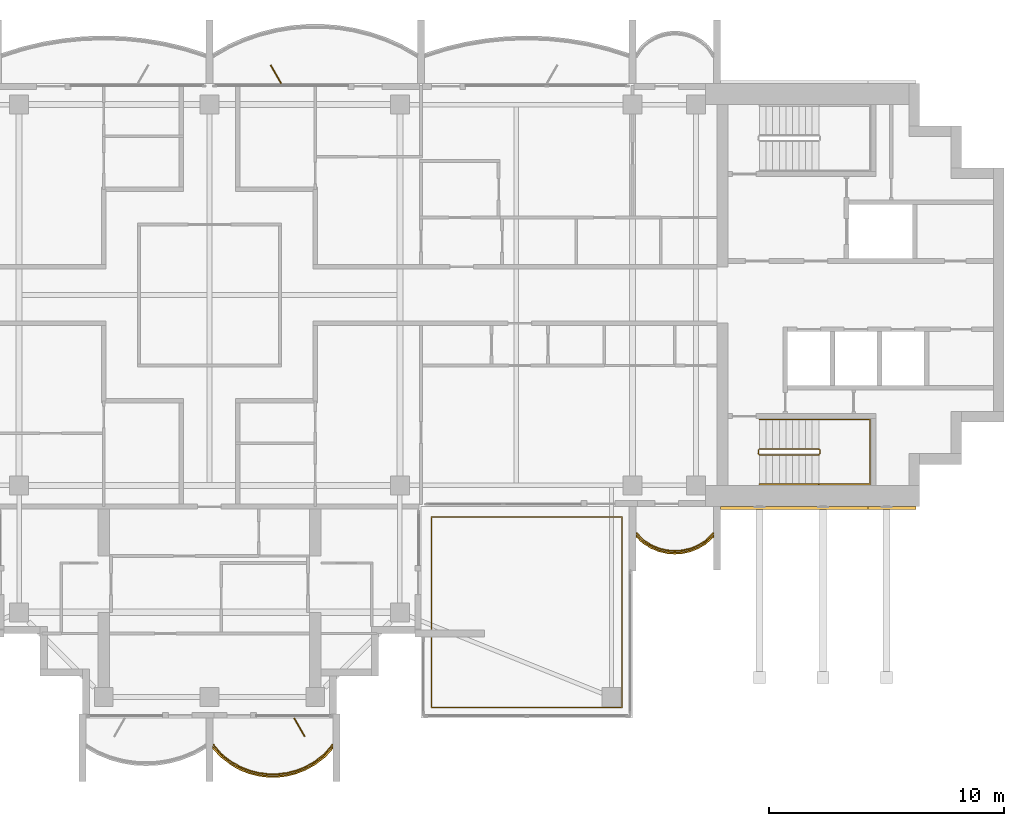
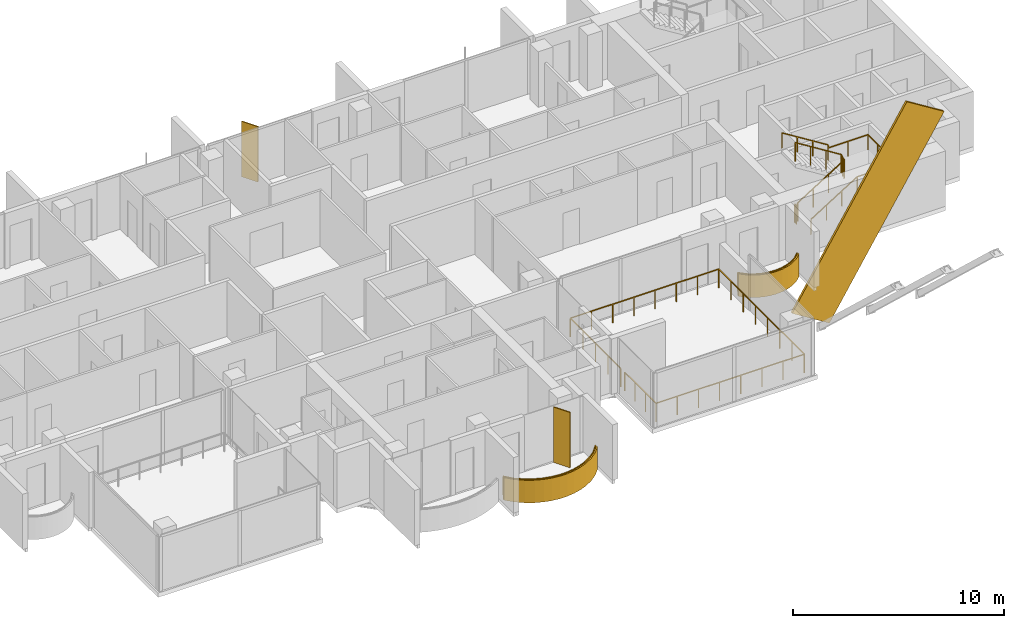
# One storey, part 17 of 18: 5 railings, 3 coverings, 2 shading devices.
"""IFC4 building model written with IfcOpenShell, lengths in metres."""

from ifc_helpers import new_model, si_unit, direction, frame, origin, origin_2d, place, context, subcontext, project, spatial, polyline, rectangle, outline, extrude, material, layer, layer_set, material_profile, profile_set, type_object, element, save


model = new_model("IFC4")

# Units and contexts
model_context = context("Model", 3, precision=1e-05, world=origin(), true_north=direction((0.0, 1.0)))
body_context = subcontext(model_context, "Body", "Model", "MODEL_VIEW")
ifc_project = project(units=[si_unit("LENGTHUNIT", "METRE"), si_unit("AREAUNIT", "SQUARE_METRE"), si_unit("VOLUMEUNIT", "CUBIC_METRE"), si_unit("PLANEANGLEUNIT", "RADIAN"), si_unit("MASSUNIT", "GRAM", prefix="KILO")], contexts=[model_context])

# Site, building, storey
site_placement = place(None, origin())
site = spatial("IfcSite", under=ifc_project, at=site_placement, CompositionType="ELEMENT")
building_placement = place(site_placement, origin())
building = spatial("IfcBuilding", under=site, at=building_placement, Name="Perihelion Cross Residences", CompositionType="ELEMENT")
storey_placement = place(building_placement, frame((0.0, 0.0, 281.5)))
storey = spatial("IfcBuildingStorey", under=building, at=storey_placement, Name="L72", CompositionType="ELEMENT", Elevation=281.5)

# Coverings
ifc_material_1 = material(Name="Bronze anodised aluminium", Category="aluminium")
ifc_layer_1 = layer(ifc_material_1, 0.070068359375)
ifc_layer_set_1 = layer_set([ifc_layer_1], Name="Balcony fascia 1300")
covering_type_1 = type_object("IfcCoveringType", Name="Balcony fascia 1300", PredefinedType="CLADDING", material=ifc_layer_set_1)
covering_1_placement = place(storey_placement, frame((0.0, 0.0, -0.199951171875)))
element("IfcCovering", 1, at=covering_1_placement, inside=storey, type_object=covering_type_1, Name="Fascia BF1 L72 south tip south bay 2", PredefinedType="CLADDING", context=body_context, shape_type="SweptSolid", body=[
    extrude(outline(polyline([(0.4951171875, -19.674072265625), (0.89599609375, -19.982666015625), (1.296875, -20.20654296875), (1.69775390625, -20.364013671875), (2.0986328125, -20.464599609375), (2.49951171875, -20.513916015625), (2.900390625, -20.513916015625), (3.30126953125, -20.464599609375), (3.7021484375, -20.364013671875), (4.10302734375, -20.20654296875), (4.50390625, -19.982666015625), (4.90478515625, -19.674072265625), (5.25, -19.302734375), (5.25, -19.199951171875), (4.857666015625, -19.622314453125), (4.46533203125, -19.924072265625), (4.072998046875, -20.143310546875), (3.6806640625, -20.29736328125), (3.28857421875, -20.39599609375), (2.896240234375, -20.444091796875), (2.50390625, -20.444091796875), (2.111572265625, -20.39599609375), (1.71923828125, -20.29736328125), (1.326904296875, -20.143310546875), (0.9345703125, -19.924072265625), (0.542236328125, -19.622314453125), (0.14990234375, -19.199951171875), (0.14990234375, -19.302734375), (0.4951171875, -19.674072265625)])), origin(), (0.0, 0.0, 1.0), 1.300048828125),
])
covering_2_placement = place(storey_placement, frame((0.0, 0.0, -0.199951171875)))
element("IfcCovering", 2, at=covering_2_placement, inside=storey, type_object=covering_type_1, Name="Fascia BF1 L72 east side south bay 2", PredefinedType="CLADDING", context=body_context, shape_type="SweptSolid", body=[
    extrude(outline(polyline([(18.4375, -10.56298828125), (18.778076171875, -10.77587890625), (19.11865234375, -10.914794921875), (19.45947265625, -10.994140625), (19.800048828125, -11.02001953125), (20.140625, -10.994140625), (20.481201171875, -10.914794921875), (20.82177734375, -10.77587890625), (21.16259765625, -10.56298828125), (21.449951171875, -10.295654296875), (21.449951171875, -10.199951171875), (21.1201171875, -10.507568359375), (20.7900390625, -10.71337890625), (20.4599609375, -10.84814453125), (20.1298828125, -10.925048828125), (19.800048828125, -10.949951171875), (19.469970703125, -10.925048828125), (19.139892578125, -10.84814453125), (18.81005859375, -10.71337890625), (18.47998046875, -10.507568359375), (18.14990234375, -10.199951171875), (18.14990234375, -10.295654296875), (18.4375, -10.56298828125)])), origin(), (0.0, 0.0, 1.0), 1.300048828125),
])

# Railings
ifc_material_2 = material(Name="Bronze anodised aluminium", Category="aluminium")
railing_type_1 = type_object("IfcRailingType", Name="Balcony guard 1100", PredefinedType="GUARDRAIL", material=ifc_material_2)
railing_1_placement = place(storey_placement, frame((0.175048828125, -19.139892578125, 0.0)))
element("IfcRailing", 3, at=railing_1_placement, inside=storey, type_object=railing_type_1, Name="Guard GU1 L72 south tip south bay 2 balcony", PredefinedType="GUARDRAIL", context=body_context, shape_type="SweptSolid", body=[
    extrude(rectangle(XDim=0.048095703125, YDim=0.048095703125, at=origin_2d()), frame((0.0, 0.0, 1.076171875), z_axis=(0.656092309534, -0.754680648599, 0.0), x_axis=(0.754680648599, 0.656092309534, 0.0)), (0.0, 0.0, 1.0), 0.5595703125),
    extrude(rectangle(XDim=0.048095703125, YDim=0.048095703125, at=origin_2d()), frame((0.3671875, -0.42236328125, 1.076171875), z_axis=(0.792660660899, -0.60966308455, 0.0), x_axis=(0.60966308455, 0.792660660899, 0.0)), (0.0, 0.0, 1.0), 0.494873046875),
    extrude(rectangle(XDim=0.048095703125, YDim=0.048095703125, at=origin_2d()), frame((0.759521484375, -0.72412109375, 1.076171875), z_axis=(0.872950285698, -0.487809182674, 0.0), x_axis=(0.487809182674, 0.872950285698, 0.0)), (0.0, 0.0, 1.0), 0.449462890625),
    extrude(rectangle(XDim=0.048095703125, YDim=0.048095703125, at=origin_2d()), frame((1.15185546875, -0.943359375, 1.076171875), z_axis=(0.930814842219, -0.365491079925, 0.0), x_axis=(0.365491079925, 0.930814842219, 0.0)), (0.0, 0.0, 1.0), 0.42138671875),
    extrude(rectangle(XDim=0.048095703125, YDim=0.048095703125, at=origin_2d()), frame((1.544189453125, -1.097412109375, 1.076171875), z_axis=(0.969822159145, -0.243813411509, 0.0), x_axis=(0.243813411509, 0.969822159145, 0.0)), (0.0, 0.0, 1.0), 0.404541015625),
    extrude(rectangle(XDim=0.048095703125, YDim=0.048095703125, at=origin_2d()), frame((1.9365234375, -1.196044921875, 1.076171875), z_axis=(0.992569651699, -0.121677797999, 0.0), x_axis=(0.121677797999, 0.992569651699, 0.0)), (0.0, 0.0, 1.0), 0.395263671875),
    extrude(rectangle(XDim=0.048095703125, YDim=0.048095703125, at=origin_2d()), frame((2.328857421875, -1.244140625, 1.076171875), z_axis=(1.0, 0.0, 0.0), x_axis=(0.0, 1.0, 0.0)), (0.0, 0.0, 1.0), 0.392333984375),
    extrude(rectangle(XDim=0.048095703125, YDim=0.048095703125, at=origin_2d()), frame((2.72119140625, -1.244140625, 1.076171875), z_axis=(0.992569651699, 0.121677797999, 0.0), x_axis=(-0.121677797999, 0.992569651699, 0.0)), (0.0, 0.0, 1.0), 0.395263671875),
    extrude(rectangle(XDim=0.048095703125, YDim=0.048095703125, at=origin_2d()), frame((3.113525390625, -1.196044921875, 1.076171875), z_axis=(0.969786252666, 0.243956193074, 0.0), x_axis=(-0.243956193074, 0.969786252666, 0.0)), (0.0, 0.0, 1.0), 0.404296875),
    extrude(rectangle(XDim=0.048095703125, YDim=0.048095703125, at=origin_2d()), frame((3.505615234375, -1.097412109375, 1.076171875), z_axis=(0.930814842219, 0.365491079925, 0.0), x_axis=(-0.365491079925, 0.930814842219, 0.0)), (0.0, 0.0, 1.0), 0.42138671875),
    extrude(rectangle(XDim=0.048095703125, YDim=0.048095703125, at=origin_2d()), frame((3.89794921875, -0.943359375, 1.076171875), z_axis=(0.872950285698, 0.487809182674, 0.0), x_axis=(-0.487809182674, 0.872950285698, 0.0)), (0.0, 0.0, 1.0), 0.449462890625),
    extrude(rectangle(XDim=0.048095703125, YDim=0.048095703125, at=origin_2d()), frame((4.290283203125, -0.72412109375, 1.076171875), z_axis=(0.792660660899, 0.60966308455, 0.0), x_axis=(-0.60966308455, 0.792660660899, 0.0)), (0.0, 0.0, 1.0), 0.494873046875),
    extrude(rectangle(XDim=0.048095703125, YDim=0.048095703125, at=origin_2d()), frame((4.6826171875, -0.42236328125, 1.076171875), z_axis=(0.656340655493, 0.754464673757, 0.0), x_axis=(-0.754464673757, 0.656340655493, 0.0)), (0.0, 0.0, 1.0), 0.559814453125),
    extrude(rectangle(XDim=0.0419921875, YDim=0.0419921875, at=origin_2d()), origin(), (0.0, 0.0, 1.0), 1.052001953125),
    extrude(rectangle(XDim=0.0419921875, YDim=0.0419921875, at=origin_2d()), frame((0.3671875, -0.42236328125, 0.0)), (0.0, 0.0, 1.0), 1.052001953125),
    extrude(rectangle(XDim=0.0419921875, YDim=0.0419921875, at=origin_2d()), frame((0.759521484375, -0.72412109375, 0.0)), (0.0, 0.0, 1.0), 1.052001953125),
    extrude(rectangle(XDim=0.0419921875, YDim=0.0419921875, at=origin_2d()), frame((1.15185546875, -0.943359375, 0.0)), (0.0, 0.0, 1.0), 1.052001953125),
    extrude(rectangle(XDim=0.0419921875, YDim=0.0419921875, at=origin_2d()), frame((1.544189453125, -1.097412109375, 0.0)), (0.0, 0.0, 1.0), 1.052001953125),
    extrude(rectangle(XDim=0.0419921875, YDim=0.0419921875, at=origin_2d()), frame((1.9365234375, -1.196044921875, 0.0)), (0.0, 0.0, 1.0), 1.052001953125),
    extrude(rectangle(XDim=0.0419921875, YDim=0.0419921875, at=origin_2d()), frame((2.328857421875, -1.244140625, 0.0)), (0.0, 0.0, 1.0), 1.052001953125),
    extrude(rectangle(XDim=0.0419921875, YDim=0.0419921875, at=origin_2d()), frame((2.72119140625, -1.244140625, 0.0)), (0.0, 0.0, 1.0), 1.052001953125),
    extrude(rectangle(XDim=0.0419921875, YDim=0.0419921875, at=origin_2d()), frame((3.113525390625, -1.196044921875, 0.0)), (0.0, 0.0, 1.0), 1.052001953125),
    extrude(rectangle(XDim=0.0419921875, YDim=0.0419921875, at=origin_2d()), frame((3.505615234375, -1.097412109375, 0.0)), (0.0, 0.0, 1.0), 1.052001953125),
    extrude(rectangle(XDim=0.0419921875, YDim=0.0419921875, at=origin_2d()), frame((3.89794921875, -0.943359375, 0.0)), (0.0, 0.0, 1.0), 1.052001953125),
    extrude(rectangle(XDim=0.0419921875, YDim=0.0419921875, at=origin_2d()), frame((4.290283203125, -0.72412109375, 0.0)), (0.0, 0.0, 1.0), 1.052001953125),
    extrude(rectangle(XDim=0.0419921875, YDim=0.0419921875, at=origin_2d()), frame((4.6826171875, -0.42236328125, 0.0)), (0.0, 0.0, 1.0), 1.052001953125),
    extrude(rectangle(XDim=0.0419921875, YDim=0.0419921875, at=origin_2d()), frame((5.050048828125, 0.0, 0.0)), (0.0, 0.0, 1.0), 1.052001953125),
])
railing_2_placement = place(storey_placement, frame((18.175048828125, -10.139892578125, 0.0)))
element("IfcRailing", 4, at=railing_2_placement, inside=storey, type_object=railing_type_1, Name="Guard GU1 L72 east side south bay 2 balcony", PredefinedType="GUARDRAIL", context=body_context, shape_type="SweptSolid", body=[
    extrude(rectangle(XDim=0.048095703125, YDim=0.048095703125, at=origin_2d()), frame((0.0, 0.0, 1.076171875), z_axis=(0.703999905859, -0.710200065158, 0.0), x_axis=(0.710200065158, 0.703999905859, 0.0)), (0.0, 0.0, 1.0), 0.43310546875),
    extrude(rectangle(XDim=0.048095703125, YDim=0.048095703125, at=origin_2d()), frame((0.304931640625, -0.3076171875, 1.076171875), z_axis=(0.848280173265, -0.529547682127, 0.0), x_axis=(0.529547682127, 0.848280173265, 0.0)), (0.0, 0.0, 1.0), 0.38916015625),
    extrude(rectangle(XDim=0.048095703125, YDim=0.048095703125, at=origin_2d()), frame((0.635009765625, -0.513671875, 1.076171875), z_axis=(0.925950379976, -0.377645195682, 0.0), x_axis=(0.377645195682, 0.925950379976, 0.0)), (0.0, 0.0, 1.0), 0.356201171875),
    extrude(rectangle(XDim=0.048095703125, YDim=0.048095703125, at=origin_2d()), frame((0.96484375, -0.648193359375, 1.076171875), z_axis=(0.97391554583, -0.226910796551, 0.0), x_axis=(0.226910796551, 0.97391554583, 0.0)), (0.0, 0.0, 1.0), 0.3388671875),
    extrude(rectangle(XDim=0.048095703125, YDim=0.048095703125, at=origin_2d()), frame((1.294921875, -0.72509765625, 1.076171875), z_axis=(0.997166208737, -0.075229995038, 0.0), x_axis=(0.075229995038, 0.997166208737, 0.0)), (0.0, 0.0, 1.0), 0.3310546875),
    extrude(rectangle(XDim=0.048095703125, YDim=0.048095703125, at=origin_2d()), frame((1.625, -0.75, 1.076171875), z_axis=(0.997162029931, 0.075285364214, 0.0), x_axis=(-0.075285364214, 0.997162029931, 0.0)), (0.0, 0.0, 1.0), 0.330810546875),
    extrude(rectangle(XDim=0.048095703125, YDim=0.048095703125, at=origin_2d()), frame((1.954833984375, -0.72509765625, 1.076171875), z_axis=(0.97391554583, 0.226910796551, 0.0), x_axis=(-0.226910796551, 0.97391554583, 0.0)), (0.0, 0.0, 1.0), 0.3388671875),
    extrude(rectangle(XDim=0.048095703125, YDim=0.048095703125, at=origin_2d()), frame((2.284912109375, -0.648193359375, 1.076171875), z_axis=(0.926048033295, 0.377405670374, 0.0), x_axis=(-0.377405670374, 0.926048033295, 0.0)), (0.0, 0.0, 1.0), 0.3564453125),
    extrude(rectangle(XDim=0.048095703125, YDim=0.048095703125, at=origin_2d()), frame((2.614990234375, -0.513671875, 1.076171875), z_axis=(0.848280173265, 0.529547682127, 0.0), x_axis=(-0.529547682127, 0.848280173265, 0.0)), (0.0, 0.0, 1.0), 0.38916015625),
    extrude(rectangle(XDim=0.048095703125, YDim=0.048095703125, at=origin_2d()), frame((2.945068359375, -0.3076171875, 1.076171875), z_axis=(0.703999905859, 0.710200065158, 0.0), x_axis=(-0.710200065158, 0.703999905859, 0.0)), (0.0, 0.0, 1.0), 0.43310546875),
    extrude(rectangle(XDim=0.0419921875, YDim=0.0419921875, at=origin_2d()), origin(), (0.0, 0.0, 1.0), 1.052001953125),
    extrude(rectangle(XDim=0.0419921875, YDim=0.0419921875, at=origin_2d()), frame((0.304931640625, -0.3076171875, 0.0)), (0.0, 0.0, 1.0), 1.052001953125),
    extrude(rectangle(XDim=0.0419921875, YDim=0.0419921875, at=origin_2d()), frame((0.635009765625, -0.513671875, 0.0)), (0.0, 0.0, 1.0), 1.052001953125),
    extrude(rectangle(XDim=0.0419921875, YDim=0.0419921875, at=origin_2d()), frame((0.96484375, -0.648193359375, 0.0)), (0.0, 0.0, 1.0), 1.052001953125),
    extrude(rectangle(XDim=0.0419921875, YDim=0.0419921875, at=origin_2d()), frame((1.294921875, -0.72509765625, 0.0)), (0.0, 0.0, 1.0), 1.052001953125),
    extrude(rectangle(XDim=0.0419921875, YDim=0.0419921875, at=origin_2d()), frame((1.625, -0.75, 0.0)), (0.0, 0.0, 1.0), 1.052001953125),
    extrude(rectangle(XDim=0.0419921875, YDim=0.0419921875, at=origin_2d()), frame((1.954833984375, -0.72509765625, 0.0)), (0.0, 0.0, 1.0), 1.052001953125),
    extrude(rectangle(XDim=0.0419921875, YDim=0.0419921875, at=origin_2d()), frame((2.284912109375, -0.648193359375, 0.0)), (0.0, 0.0, 1.0), 1.052001953125),
    extrude(rectangle(XDim=0.0419921875, YDim=0.0419921875, at=origin_2d()), frame((2.614990234375, -0.513671875, 0.0)), (0.0, 0.0, 1.0), 1.052001953125),
    extrude(rectangle(XDim=0.0419921875, YDim=0.0419921875, at=origin_2d()), frame((2.945068359375, -0.3076171875, 0.0)), (0.0, 0.0, 1.0), 1.052001953125),
    extrude(rectangle(XDim=0.0419921875, YDim=0.0419921875, at=origin_2d()), frame((3.25, 0.0, 0.0)), (0.0, 0.0, 1.0), 1.052001953125),
])
railing_3_placement = place(storey_placement, frame((9.449951171875, -14.2099609375, 0.0)))
element("IfcRailing", 5, at=railing_3_placement, inside=storey, type_object=railing_type_1, Name="Guard GU1 L72 pocket south-east 1", PredefinedType="GUARDRAIL", context=body_context, shape_type="SweptSolid", body=[
    extrude(rectangle(XDim=0.048095703125, YDim=0.048095703125, at=origin_2d()), frame((0.0, 0.0, 1.076171875), z_axis=(0.0, 1.0, 0.0), x_axis=(-1.0, 0.0, 0.0)), (0.0, 0.0, 1.0), 4.760009765625),
    extrude(rectangle(XDim=0.048095703125, YDim=0.048095703125, at=origin_2d()), frame((0.0, 4.760009765625, 1.076171875), z_axis=(1.0, 0.0, 0.0), x_axis=(0.0, 1.0, 0.0)), (0.0, 0.0, 1.0), 8.10009765625),
    extrude(rectangle(XDim=0.048095703125, YDim=0.048095703125, at=origin_2d()), frame((8.10009765625, 4.760009765625, 1.076171875), z_axis=(0.0, -1.0, 0.0), x_axis=(1.0, 0.0, 0.0)), (0.0, 0.0, 1.0), 8.10009765625),
    extrude(rectangle(XDim=0.048095703125, YDim=0.048095703125, at=origin_2d()), frame((8.10009765625, -3.340087890625, 1.076171875), z_axis=(-1.0, 0.0, 0.0), x_axis=(0.0, -1.0, 0.0)), (0.0, 0.0, 1.0), 8.10009765625),
    extrude(rectangle(XDim=0.048095703125, YDim=0.048095703125, at=origin_2d()), frame((0.0, -3.340087890625, 1.076171875), z_axis=(0.0, 1.0, 0.0), x_axis=(-1.0, 0.0, 0.0)), (0.0, 0.0, 1.0), 2.9599609375),
    extrude(rectangle(XDim=0.0419921875, YDim=0.0419921875, at=origin_2d()), origin(), (0.0, 0.0, 1.0), 1.052001953125),
    extrude(rectangle(XDim=0.0419921875, YDim=0.0419921875, at=origin_2d()), frame((0.0, 1.18994140625, 0.0)), (0.0, 0.0, 1.0), 1.052001953125),
    extrude(rectangle(XDim=0.0419921875, YDim=0.0419921875, at=origin_2d()), frame((0.0, 2.3798828125, 0.0)), (0.0, 0.0, 1.0), 1.052001953125),
    extrude(rectangle(XDim=0.0419921875, YDim=0.0419921875, at=origin_2d()), frame((0.0, 3.570068359375, 0.0)), (0.0, 0.0, 1.0), 1.052001953125),
    extrude(rectangle(XDim=0.0419921875, YDim=0.0419921875, at=origin_2d()), frame((0.0, 4.760009765625, 0.0)), (0.0, 0.0, 1.0), 1.052001953125),
    extrude(rectangle(XDim=0.0419921875, YDim=0.0419921875, at=origin_2d()), frame((1.1572265625, 4.760009765625, 0.0)), (0.0, 0.0, 1.0), 1.052001953125),
    extrude(rectangle(XDim=0.0419921875, YDim=0.0419921875, at=origin_2d()), frame((2.314208984375, 4.760009765625, 0.0)), (0.0, 0.0, 1.0), 1.052001953125),
    extrude(rectangle(XDim=0.0419921875, YDim=0.0419921875, at=origin_2d()), frame((3.471435546875, 4.760009765625, 0.0)), (0.0, 0.0, 1.0), 1.052001953125),
    extrude(rectangle(XDim=0.0419921875, YDim=0.0419921875, at=origin_2d()), frame((4.628662109375, 4.760009765625, 0.0)), (0.0, 0.0, 1.0), 1.052001953125),
    extrude(rectangle(XDim=0.0419921875, YDim=0.0419921875, at=origin_2d()), frame((5.785888671875, 4.760009765625, 0.0)), (0.0, 0.0, 1.0), 1.052001953125),
    extrude(rectangle(XDim=0.0419921875, YDim=0.0419921875, at=origin_2d()), frame((6.94287109375, 4.760009765625, 0.0)), (0.0, 0.0, 1.0), 1.052001953125),
    extrude(rectangle(XDim=0.0419921875, YDim=0.0419921875, at=origin_2d()), frame((8.10009765625, 4.760009765625, 0.0)), (0.0, 0.0, 1.0), 1.052001953125),
    extrude(rectangle(XDim=0.0419921875, YDim=0.0419921875, at=origin_2d()), frame((8.10009765625, 3.602783203125, 0.0)), (0.0, 0.0, 1.0), 1.052001953125),
    extrude(rectangle(XDim=0.0419921875, YDim=0.0419921875, at=origin_2d()), frame((8.10009765625, 2.44580078125, 0.0)), (0.0, 0.0, 1.0), 1.052001953125),
    extrude(rectangle(XDim=0.0419921875, YDim=0.0419921875, at=origin_2d()), frame((8.10009765625, 1.28857421875, 0.0)), (0.0, 0.0, 1.0), 1.052001953125),
    extrude(rectangle(XDim=0.0419921875, YDim=0.0419921875, at=origin_2d()), frame((8.10009765625, 0.13134765625, 0.0)), (0.0, 0.0, 1.0), 1.052001953125),
    extrude(rectangle(XDim=0.0419921875, YDim=0.0419921875, at=origin_2d()), frame((8.10009765625, -1.02587890625, 0.0)), (0.0, 0.0, 1.0), 1.052001953125),
    extrude(rectangle(XDim=0.0419921875, YDim=0.0419921875, at=origin_2d()), frame((8.10009765625, -2.182861328125, 0.0)), (0.0, 0.0, 1.0), 1.052001953125),
    extrude(rectangle(XDim=0.0419921875, YDim=0.0419921875, at=origin_2d()), frame((8.10009765625, -3.340087890625, 0.0)), (0.0, 0.0, 1.0), 1.052001953125),
    extrude(rectangle(XDim=0.0419921875, YDim=0.0419921875, at=origin_2d()), frame((6.94287109375, -3.340087890625, 0.0)), (0.0, 0.0, 1.0), 1.052001953125),
    extrude(rectangle(XDim=0.0419921875, YDim=0.0419921875, at=origin_2d()), frame((5.785888671875, -3.340087890625, 0.0)), (0.0, 0.0, 1.0), 1.052001953125),
    extrude(rectangle(XDim=0.0419921875, YDim=0.0419921875, at=origin_2d()), frame((4.628662109375, -3.340087890625, 0.0)), (0.0, 0.0, 1.0), 1.052001953125),
    extrude(rectangle(XDim=0.0419921875, YDim=0.0419921875, at=origin_2d()), frame((3.471435546875, -3.340087890625, 0.0)), (0.0, 0.0, 1.0), 1.052001953125),
    extrude(rectangle(XDim=0.0419921875, YDim=0.0419921875, at=origin_2d()), frame((2.314208984375, -3.340087890625, 0.0)), (0.0, 0.0, 1.0), 1.052001953125),
    extrude(rectangle(XDim=0.0419921875, YDim=0.0419921875, at=origin_2d()), frame((1.1572265625, -3.340087890625, 0.0)), (0.0, 0.0, 1.0), 1.052001953125),
    extrude(rectangle(XDim=0.0419921875, YDim=0.0419921875, at=origin_2d()), frame((0.0, -3.340087890625, 0.0)), (0.0, 0.0, 1.0), 1.052001953125),
    extrude(rectangle(XDim=0.0419921875, YDim=0.0419921875, at=origin_2d()), frame((0.0, -2.353515625, 0.0)), (0.0, 0.0, 1.0), 1.052001953125),
    extrude(rectangle(XDim=0.0419921875, YDim=0.0419921875, at=origin_2d()), frame((0.0, -1.36669921875, 0.0)), (0.0, 0.0, 1.0), 1.052001953125),
    extrude(rectangle(XDim=0.0419921875, YDim=0.0419921875, at=origin_2d()), frame((0.0, -0.380126953125, 0.0)), (0.0, 0.0, 1.0), 1.052001953125),
])

# Covering
ifc_material_3 = material(Name="Bronze anodised aluminium", Category="aluminium")
ifc_material_profile = material_profile(ifc_material_3, rectangle(XDim=0.125, YDim=2.39990234375, at=origin_2d()), Name="Bronze cladding band 2400")
ifc_profile_set = profile_set([ifc_material_profile], Name="Bronze anodised aluminium")
covering_type_2 = type_object("IfcCoveringType", Name="Bronze cladding band 2400", PredefinedType="CLADDING", material=ifc_profile_set)
covering_3_placement = place(storey_placement, frame((22.767578125, -9.0625, -3.78759765625), z_axis=(0.529915403603, 0.0, 0.848050508534), x_axis=(0.0, 1.0, 0.0)))
element("IfcCovering", 6, at=covering_3_placement, inside=storey, type_object=covering_type_2, Name="Core cladding band, east core", PredefinedType="CLADDING", context=body_context, shape_type="SweptSolid", body=[
    extrude(rectangle(XDim=0.125, YDim=2.39990234375, at=origin_2d()), origin(), (0.0, 0.0, 1.0), 11.822021484375),
])

# Shading devices
ifc_material_4 = material(Name="Bronze anodised aluminium", Category="aluminium")
ifc_layer_2 = layer(ifc_material_4, 0.050048828125)
ifc_layer_set_2 = layer_set([ifc_layer_2], Name="Bronze fin 900")
shading_device_type = type_object("IfcShadingDeviceType", Name="Bronze fin 900", PredefinedType="USERDEFINED", material=ifc_layer_set_2)
for number, where, z_axis, x_axis, name in (
    (7, (2.824951171875, 9.3896484375, 0.0), (0.0, 0.0, 1.0), (-0.5, 0.866025403784, 0.0), "Fin FN1 L72 north side east bay 1"),
    (8, (3.824951171875, -18.3896484375, 0.0), (0.0, 0.0, 1.0), (0.5, -0.866025403784, 0.0), "Fin FN1 L72 south tip south bay 2"),
):
    element("IfcShadingDevice", number, at=place(storey_placement, frame(where, z_axis=z_axis, x_axis=x_axis)), inside=storey, type_object=shading_device_type, Name=name, ObjectType="FIN", PredefinedType="USERDEFINED", context=body_context, shape_type="SweptSolid", body=[
        extrude(rectangle(XDim=0.89990234375, YDim=0.050048828125, at=origin_2d()), origin(), (0.0, 0.0, 1.0), 3.199951171875),
    ])

# Railings
ifc_material_5 = material(Name="Stainless steel", Category="steel")
railing_type_2 = type_object("IfcRailingType", Name="Stair guard 1100", PredefinedType="GUARDRAIL", material=ifc_material_5)
railing_4_placement = place(storey_placement, frame((23.35009765625, -6.60009765625, 0.0)))
element("IfcRailing", 9, at=railing_4_placement, inside=storey, type_object=railing_type_2, Name="L72 ST-E2 stair guard 1", PredefinedType="GUARDRAIL", context=body_context, shape_type="SweptSolid", body=[
    extrude(rectangle(XDim=0.048095703125, YDim=0.048095703125, at=origin_2d()), frame((0.0, 0.0, 1.076171875), z_axis=(0.0, -1.0, 0.0), x_axis=(1.0, 0.0, 0.0)), (0.0, 0.0, 1.0), 0.14990234375),
    extrude(rectangle(XDim=0.048095703125, YDim=0.048095703125, at=origin_2d()), frame((0.0, -0.14990234375, 1.076171875), z_axis=(0.263862480399, -0.265155923931, 0.927399011991), x_axis=(0.708833529934, 0.705375805398, 0.0)), (0.0, 0.0, 1.0), 0.188720703125),
    extrude(rectangle(XDim=0.048095703125, YDim=0.048095703125, at=origin_2d()), frame((0.0498046875, -0.199951171875, 1.2509765625), z_axis=(0.848007534815, 0.0, 0.529984170421), x_axis=(0.0, 1.0, 0.0)), (0.0, 0.0, 1.0), 2.9716796875),
    extrude(rectangle(XDim=0.048095703125, YDim=0.048095703125, at=origin_2d()), frame((2.56982421875, -0.199951171875, 2.826171875), z_axis=(0.707106781187, 0.707106781187, 0.0), x_axis=(-0.707106781187, 0.707106781187, 0.0)), (0.0, 0.0, 1.0), 0.07080078125),
    extrude(rectangle(XDim=0.048095703125, YDim=0.048095703125, at=origin_2d()), frame((2.619873046875, -0.14990234375, 2.826171875), z_axis=(0.0, 1.0, 0.0), x_axis=(-1.0, 0.0, 0.0)), (0.0, 0.0, 1.0), 0.14990234375),
    extrude(rectangle(XDim=0.048095703125, YDim=0.048095703125, at=origin_2d()), frame((2.619873046875, 0.0, 2.826171875), z_axis=(-0.265065253269, 0.265065253269, 0.927081885822), x_axis=(-0.707106781187, -0.707106781187, 0.0)), (0.0, 0.0, 1.0), 0.188720703125),
    extrude(rectangle(XDim=0.048095703125, YDim=0.048095703125, at=origin_2d()), frame((2.56982421875, 0.050048828125, 3.0009765625), z_axis=(-0.848007534815, 0.0, 0.529984170421), x_axis=(0.0, -1.0, 0.0)), (0.0, 0.0, 1.0), 2.9716796875),
    extrude(rectangle(XDim=0.0419921875, YDim=0.0419921875, at=origin_2d()), origin(), (0.0, 0.0, 1.0), 1.052001953125),
    extrude(rectangle(XDim=0.0419921875, YDim=0.0419921875, at=origin_2d()), frame((0.0, -0.14990234375, 0.0)), (0.0, 0.0, 1.0), 1.052001953125),
    extrude(rectangle(XDim=0.0419921875, YDim=0.0419921875, at=origin_2d()), frame((0.0498046875, -0.199951171875, 0.175048828125)), (0.0, 0.0, 1.0), 1.052001953125),
    extrude(rectangle(XDim=0.0419921875, YDim=0.0419921875, at=origin_2d()), frame((0.889892578125, -0.199951171875, 0.699951171875)), (0.0, 0.0, 1.0), 1.052001953125),
    extrude(rectangle(XDim=0.0419921875, YDim=0.0419921875, at=origin_2d()), frame((1.729736328125, -0.199951171875, 1.22509765625)), (0.0, 0.0, 1.0), 1.052001953125),
    extrude(rectangle(XDim=0.0419921875, YDim=0.0419921875, at=origin_2d()), frame((2.56982421875, -0.199951171875, 1.75)), (0.0, 0.0, 1.0), 1.052001953125),
    extrude(rectangle(XDim=0.0419921875, YDim=0.0419921875, at=origin_2d()), frame((2.619873046875, -0.14990234375, 1.75)), (0.0, 0.0, 1.0), 1.052001953125),
    extrude(rectangle(XDim=0.0419921875, YDim=0.0419921875, at=origin_2d()), frame((2.619873046875, 0.0, 1.75)), (0.0, 0.0, 1.0), 1.052001953125),
    extrude(rectangle(XDim=0.0419921875, YDim=0.0419921875, at=origin_2d()), frame((2.56982421875, 0.050048828125, 1.925048828125)), (0.0, 0.0, 1.0), 1.052001953125),
    extrude(rectangle(XDim=0.0419921875, YDim=0.0419921875, at=origin_2d()), frame((1.729736328125, 0.050048828125, 2.449951171875)), (0.0, 0.0, 1.0), 1.052001953125),
    extrude(rectangle(XDim=0.0419921875, YDim=0.0419921875, at=origin_2d()), frame((0.889892578125, 0.050048828125, 2.97509765625)), (0.0, 0.0, 1.0), 1.052001953125),
    extrude(rectangle(XDim=0.0419921875, YDim=0.0419921875, at=origin_2d()), frame((0.0498046875, 0.050048828125, 3.5)), (0.0, 0.0, 1.0), 1.052001953125),
])
ifc_material_6 = material(Name="Stainless steel", Category="steel")
railing_type_3 = type_object("IfcRailingType", Name="Stair handrail 900", PredefinedType="HANDRAIL", material=ifc_material_6)
railing_5_placement = place(storey_placement, frame((23.39990234375, -8.050048828125, 0.175048828125)))
element("IfcRailing", 10, at=railing_5_placement, inside=storey, type_object=railing_type_3, Name="L72 ST-E2 stair handrail 1", PredefinedType="HANDRAIL", context=body_context, shape_type="SweptSolid", body=[
    extrude(rectangle(XDim=0.048095703125, YDim=0.048095703125, at=origin_2d()), frame((0.0, 0.0, 0.8759765625), z_axis=(0.848007534815, 0.0, 0.529984170421), x_axis=(0.0, 1.0, 0.0)), (0.0, 0.0, 1.0), 2.9716796875),
    extrude(rectangle(XDim=0.048095703125, YDim=0.048095703125, at=origin_2d()), frame((2.52001953125, 0.0, 2.45068359375), z_axis=(1.0, 0.0, 0.0), x_axis=(0.0, 1.0, 0.0)), (0.0, 0.0, 1.0), 2.18017578125),
    extrude(rectangle(XDim=0.048095703125, YDim=0.048095703125, at=origin_2d()), frame((4.7001953125, 0.0, 2.45068359375), z_axis=(0.0, 1.0, 0.0), x_axis=(-1.0, 0.0, 0.0)), (0.0, 0.0, 1.0), 2.75),
    extrude(rectangle(XDim=0.048095703125, YDim=0.048095703125, at=origin_2d()), frame((4.7001953125, 2.75, 2.45068359375), z_axis=(-1.0, 0.0, 0.0), x_axis=(0.0, -1.0, 0.0)), (0.0, 0.0, 1.0), 2.18017578125),
    extrude(rectangle(XDim=0.048095703125, YDim=0.048095703125, at=origin_2d()), frame((2.52001953125, 2.75, 2.45068359375), z_axis=(0.0, 0.0, 1.0), x_axis=(1.0, 0.0, 0.0)), (0.0, 0.0, 1.0), 0.175048828125),
    extrude(rectangle(XDim=0.048095703125, YDim=0.048095703125, at=origin_2d()), frame((2.52001953125, 2.75, 2.6259765625), z_axis=(-0.848007534815, 0.0, 0.529984170421), x_axis=(0.0, -1.0, 0.0)), (0.0, 0.0, 1.0), 2.9716796875),
    extrude(rectangle(XDim=0.0419921875, YDim=0.0419921875, at=origin_2d()), origin(), (0.0, 0.0, 1.0), 0.851806640625),
    extrude(rectangle(XDim=0.0419921875, YDim=0.0419921875, at=origin_2d()), frame((0.840087890625, 0.0, 0.52490234375)), (0.0, 0.0, 1.0), 0.851806640625),
    extrude(rectangle(XDim=0.0419921875, YDim=0.0419921875, at=origin_2d()), frame((1.679931640625, 0.0, 1.050048828125)), (0.0, 0.0, 1.0), 0.851806640625),
    extrude(rectangle(XDim=0.0419921875, YDim=0.0419921875, at=origin_2d()), frame((2.52001953125, 0.0, 1.574951171875)), (0.0, 0.0, 1.0), 0.851806640625),
    extrude(rectangle(XDim=0.0419921875, YDim=0.0419921875, at=origin_2d()), frame((3.610107421875, 0.0, 1.574951171875)), (0.0, 0.0, 1.0), 0.851806640625),
    extrude(rectangle(XDim=0.0419921875, YDim=0.0419921875, at=origin_2d()), frame((4.7001953125, 0.0, 1.574951171875)), (0.0, 0.0, 1.0), 0.851806640625),
    extrude(rectangle(XDim=0.0419921875, YDim=0.0419921875, at=origin_2d()), frame((4.7001953125, 0.916748046875, 1.574951171875)), (0.0, 0.0, 1.0), 0.851806640625),
    extrude(rectangle(XDim=0.0419921875, YDim=0.0419921875, at=origin_2d()), frame((4.7001953125, 1.833251953125, 1.574951171875)), (0.0, 0.0, 1.0), 0.851806640625),
    extrude(rectangle(XDim=0.0419921875, YDim=0.0419921875, at=origin_2d()), frame((4.7001953125, 2.75, 1.574951171875)), (0.0, 0.0, 1.0), 0.851806640625),
    extrude(rectangle(XDim=0.0419921875, YDim=0.0419921875, at=origin_2d()), frame((3.610107421875, 2.75, 1.574951171875)), (0.0, 0.0, 1.0), 0.851806640625),
    extrude(rectangle(XDim=0.0419921875, YDim=0.0419921875, at=origin_2d()), frame((2.52001953125, 2.75, 1.574951171875)), (0.0, 0.0, 1.0), 0.851806640625),
    extrude(rectangle(XDim=0.0419921875, YDim=0.0419921875, at=origin_2d()), frame((2.52001953125, 2.75, 1.75)), (0.0, 0.0, 1.0), 0.851806640625),
    extrude(rectangle(XDim=0.0419921875, YDim=0.0419921875, at=origin_2d()), frame((1.679931640625, 2.75, 2.27490234375)), (0.0, 0.0, 1.0), 0.851806640625),
    extrude(rectangle(XDim=0.0419921875, YDim=0.0419921875, at=origin_2d()), frame((0.840087890625, 2.75, 2.800048828125)), (0.0, 0.0, 1.0), 0.851806640625),
    extrude(rectangle(XDim=0.0419921875, YDim=0.0419921875, at=origin_2d()), frame((0.0, 2.75, 3.324951171875)), (0.0, 0.0, 1.0), 0.851806640625),
])

save(model, "model.ifc")
